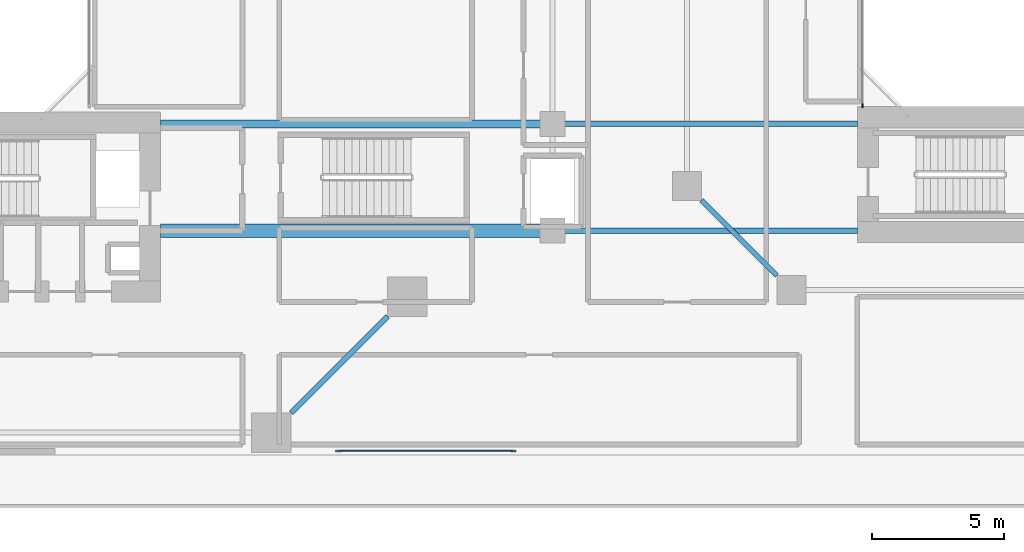
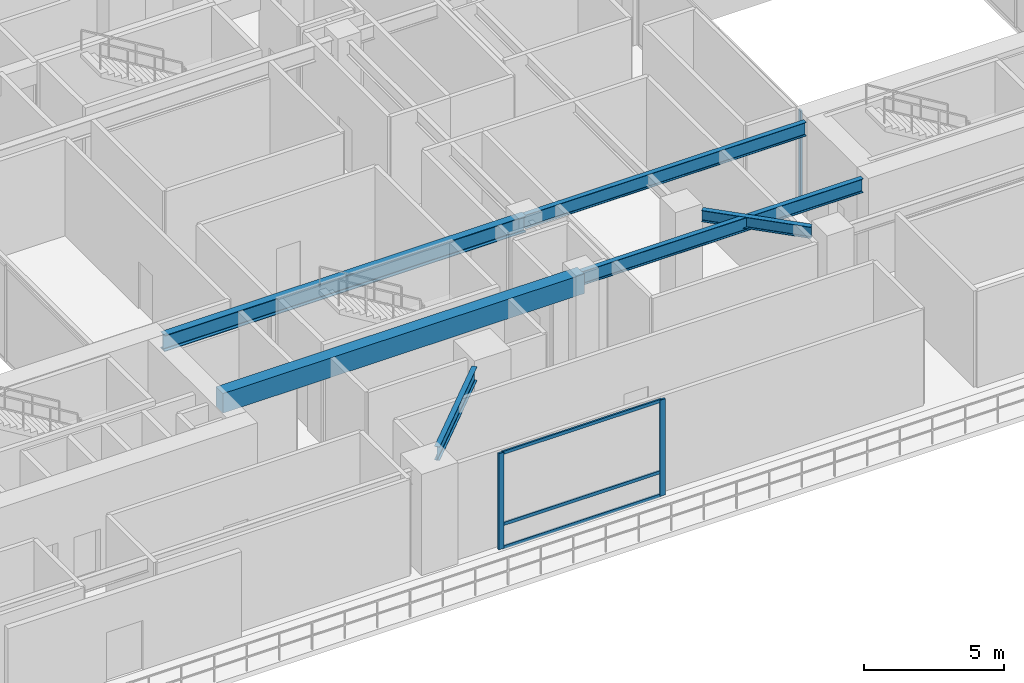
# One storey, part 4 of 19: 6 beams, 6 members, 2 elements without a shape of their own.
"""IFC4 building model written with IfcOpenShell, lengths in metres."""

from ifc_helpers import new_model, si_unit, direction, frame, origin, origin_2d, place, context, subcontext, project, spatial, rectangle, i_section, extrude, source, transform, mapped, material, layer, layer_set, material_profile, profile_set, type_object, element, aggregate, save


model = new_model("IFC4")

# Units and contexts
model_context = context("Model", 3, precision=1e-05, world=origin(), true_north=direction((0.0, 1.0)))
body_context = subcontext(model_context, "Body", "Model", "MODEL_VIEW")
ifc_project = project(units=[si_unit("LENGTHUNIT", "METRE"), si_unit("AREAUNIT", "SQUARE_METRE"), si_unit("VOLUMEUNIT", "CUBIC_METRE"), si_unit("PLANEANGLEUNIT", "RADIAN"), si_unit("MASSUNIT", "GRAM", prefix="KILO"), si_unit("THERMODYNAMICTEMPERATUREUNIT", "KELVIN"), si_unit("POWERUNIT", "WATT")], contexts=[model_context])

# Site, building, storey
site_placement = place(None, origin())
site = spatial("IfcSite", under=ifc_project, at=site_placement, CompositionType="ELEMENT")
building_placement = place(site_placement, origin())
building = spatial("IfcBuilding", under=site, at=building_placement, Name="Qiaomeng Ring Towers", CompositionType="ELEMENT")
storey_placement = place(building_placement, frame((0.0, 0.0, 9.39990234375)))
storey = spatial("IfcBuildingStorey", under=building, at=storey_placement, Name="L02", CompositionType="ELEMENT", Elevation=9.39990234375)

# Beams
ifc_material_1 = material(Name="Steel Q355B", Category="steel")
ifc_material_profile_1 = material_profile(ifc_material_1, i_section(OverallWidth=0.199951171875, OverallDepth=0.60009765625, WebThickness=0.010986328125, FlangeThickness=0.01708984375, FilletRadius=0.02197265625, at=origin_2d()), Name="HN 600x200x11x17")
ifc_profile_set_1 = profile_set([ifc_material_profile_1], Name="Steel Q355B")
beam_type_1 = type_object("IfcBeamType", Name="STR-BM-HN600", PredefinedType="BEAM", material=ifc_profile_set_1)
shared_shape_1 = source(origin(), body_context, "Body", "SweptSolid", [
    extrude(i_section(OverallWidth=0.199951171875, OverallDepth=0.60009765625, WebThickness=0.010986328125, FlangeThickness=0.01708984375, FilletRadius=0.02197265625, at=origin_2d()), origin(), (0.0, 0.0, 1.0), 5.163818359375),
])
beam_1_placement = place(storey_placement, frame((32.749267578125, 5.599365234375, 3.880126953125), z_axis=(0.707106781187, 0.707106781187, 0.0), x_axis=(-0.707106781187, 0.707106781187, 0.0)))
element("IfcBeam", 1, at=beam_1_placement, inside=storey, type_object=beam_type_1, Name="L02 beam STR-SP-L02-T1-2", PredefinedType="BEAM", context=body_context, shape_type="MappedRepresentation", body=[
    mapped(shared_shape_1, transform((0.0, 0.0, 0.0), x_axis=(1.0, 0.0, 0.0), y_axis=(0.0, 1.0, 0.0), z_axis=(0.0, 0.0, 1.0), scale=1.0)),
])
ifc_material_profile_2 = material_profile(ifc_material_1, i_section(OverallWidth=0.199951171875, OverallDepth=0.5, WebThickness=0.010009765625, FlangeThickness=0.01611328125, FilletRadius=0.02001953125, at=origin_2d()), Name="HN 500x200x10x16")
ifc_profile_set_2 = profile_set([ifc_material_profile_2], Name="Steel Q355B")
beam_type_2 = type_object("IfcBeamType", Name="STR-BM-HN500", PredefinedType="BEAM", material=ifc_profile_set_2)
shared_shape_2 = source(origin(), body_context, "Body", "SweptSolid", [
    extrude(i_section(OverallWidth=0.199951171875, OverallDepth=0.5, WebThickness=0.010009765625, FlangeThickness=0.01611328125, FilletRadius=0.02001953125, at=origin_2d()), origin(), (0.0, 0.0, 1.0), 4.032470703125),
])
beam_2_placement = place(storey_placement, frame((48.29931640625, 13.650634765625, 3.93017578125), z_axis=(0.707106781187, -0.707106781187, 0.0), x_axis=(0.707106781187, 0.707106781187, 0.0)))
element("IfcBeam", 2, at=beam_2_placement, inside=storey, type_object=beam_type_2, Name="L02 beam STR-SP-L02-T2-0", PredefinedType="BEAM", context=body_context, shape_type="MappedRepresentation", body=[
    mapped(shared_shape_2, transform((0.0, 0.0, 0.0), x_axis=(1.0, 0.0, 0.0), y_axis=(0.0, 1.0, 0.0), z_axis=(0.0, 0.0, 1.0), scale=1.0)),
])
shared_shape_3 = source(origin(), body_context, "Body", "SweptSolid", [
    extrude(i_section(OverallWidth=0.199951171875, OverallDepth=0.60009765625, WebThickness=0.010986328125, FlangeThickness=0.01708984375, FilletRadius=0.02197265625, at=origin_2d()), origin(), (0.0, 0.0, 1.0), 11.550048828125),
])
for number, where, z_axis, x_axis, name in (
    (3, (42.64990234375, 12.5, 3.880126953125), (1.0, 0.0, 0.0), (0.0, 1.0, 0.0), "L02 beam STR-BM-L02-M2-0"),
    (4, (42.64990234375, 16.550048828125, 3.880126953125), (1.0, 0.0, 0.0), (0.0, 1.0, 0.0), "L02 beam STR-BM-L02-M2-1"),
):
    element("IfcBeam", number, at=place(storey_placement, frame(where, z_axis=z_axis, x_axis=x_axis)), inside=storey, type_object=beam_type_1, Name=name, PredefinedType="BEAM", context=body_context, shape_type="MappedRepresentation", body=[
        mapped(shared_shape_3, transform((0.0, 0.0, 0.0), x_axis=(1.0, 0.0, 0.0), y_axis=(0.0, 1.0, 0.0), z_axis=(0.0, 0.0, 1.0), scale=1.0)),
    ])
ifc_material_profile_3 = material_profile(ifc_material_1, i_section(OverallWidth=0.300048828125, OverallDepth=0.699951171875, WebThickness=0.012939453125, FlangeThickness=0.02392578125, FilletRadius=0.02392578125, at=origin_2d()), Name="HN 700x300x13x24")
ifc_profile_set_3 = profile_set([ifc_material_profile_3], Name="Steel Q355B")
beam_type_3 = type_object("IfcBeamType", Name="STR-BM-HN700", PredefinedType="BEAM", material=ifc_profile_set_3)
shared_shape_4 = source(origin(), body_context, "Body", "SweptSolid", [
    extrude(i_section(OverallWidth=0.300048828125, OverallDepth=0.699951171875, WebThickness=0.012939453125, FlangeThickness=0.02392578125, FilletRadius=0.02392578125, at=origin_2d()), origin(), (0.0, 0.0, 1.0), 14.849853515625),
])
beam_3_placement = place(storey_placement, frame((27.800048828125, 16.550048828125, 3.830078125), z_axis=(1.0, 0.0, 0.0), x_axis=(0.0, 1.0, 0.0)))
element("IfcBeam", 5, at=beam_3_placement, inside=storey, type_object=beam_type_3, Name="L02 beam STR-BM-L02-M1-1", PredefinedType="BEAM", context=body_context, shape_type="MappedRepresentation", body=[
    mapped(shared_shape_4, transform((0.0, 0.0, 0.0), x_axis=(1.0, 0.0, 0.0), y_axis=(0.0, 1.0, 0.0), z_axis=(0.0, 0.0, 1.0), scale=1.0)),
])
ifc_material_2 = material(Name="Concrete C50", Category="concrete")
ifc_material_profile_4 = material_profile(ifc_material_2, rectangle(XDim=0.5, YDim=0.85009765625, at=origin_2d()), Name="RC BM 500x850")
ifc_profile_set_4 = profile_set([ifc_material_profile_4], Name="Concrete C50")
beam_type_4 = type_object("IfcBeamType", Name="STR-BM-RC850", PredefinedType="LINTEL", material=ifc_profile_set_4)
shared_shape_5 = source(origin(), body_context, "Body", "SweptSolid", [
    extrude(rectangle(XDim=0.5, YDim=0.85009765625, at=origin_2d()), origin(), (0.0, 0.0, 1.0), 14.849853515625),
])
beam_4_placement = place(storey_placement, frame((27.800048828125, 12.5, 3.755126953125), z_axis=(1.0, 0.0, 0.0), x_axis=(0.0, 1.0, 0.0)))
element("IfcBeam", 6, at=beam_4_placement, inside=storey, type_object=beam_type_4, Name="L02 beam STR-CB-L02-T1S", PredefinedType="LINTEL", context=body_context, shape_type="MappedRepresentation", body=[
    mapped(shared_shape_5, transform((0.0, 0.0, 0.0), x_axis=(1.0, 0.0, 0.0), y_axis=(0.0, 1.0, 0.0), z_axis=(0.0, 0.0, 1.0), scale=1.0)),
])

# Curtain wall, members
ifc_material_3 = material(Name="Fluorocarbon dark-grey aluminium", Category="aluminium")
ifc_layer_1 = layer(ifc_material_3, 0.179931640625, Name="Fluorocarbon dark-grey aluminium")
ifc_layer_set_1 = layer_set([ifc_layer_1], Name="Fluorocarbon dark-grey aluminium")
curtain_wall_type_1 = type_object("IfcCurtainWallType", Name="ARC-CW-1", PredefinedType="NOTDEFINED", material=ifc_layer_set_1)
curtain_wall_1_placement = place(storey_placement, origin())
curtain_wall_1 = element("IfcCurtainWall", 7, at=curtain_wall_1_placement, inside=storey, type_object=curtain_wall_type_1, Name="L02 Curtain Wall CW1", PredefinedType="NOTDEFINED")
ifc_material_profile_5 = material_profile(ifc_material_3, rectangle(XDim=0.070068359375, YDim=0.139892578125, at=origin_2d()), Name="ALU TRAN 70x140")
ifc_profile_set_5 = profile_set([ifc_material_profile_5], Name="Fluorocarbon dark-grey aluminium")
member_type_1 = type_object("IfcMemberType", Name="ARC-CWT-140", PredefinedType="USERDEFINED", material=ifc_profile_set_5)
shared_shape_6 = source(origin(), body_context, "Body", "SweptSolid", [
    extrude(rectangle(XDim=0.070068359375, YDim=0.139892578125, at=origin_2d()), origin(), (0.0, 0.0, 1.0), 6.5400390625),
])
member_1_placement = place(storey_placement, frame((34.580078125, 4.14990234375, 0.03515625), z_axis=(1.0, 0.0, 0.0), x_axis=(0.0, 1.0, 0.0)))
member_1 = element("IfcMember", 8, at=member_1_placement, type_object=member_type_1, Name="CW1 transom 1.1", ObjectType="TRANSOM", PredefinedType="USERDEFINED", context=body_context, shape_type="MappedRepresentation", body=[
    mapped(shared_shape_6, transform((0.0, 0.0, 0.0), x_axis=(1.0, 0.0, 0.0), y_axis=(0.0, 1.0, 0.0), z_axis=(0.0, 0.0, 1.0), scale=1.0)),
])
member_2_placement = place(storey_placement, frame((34.580078125, 4.14990234375, 1.050048828125), z_axis=(1.0, 0.0, 0.0), x_axis=(0.0, 1.0, 0.0)))
member_2 = element("IfcMember", 9, at=member_2_placement, type_object=member_type_1, Name="CW1 transom 1.2", ObjectType="TRANSOM", PredefinedType="USERDEFINED", context=body_context, shape_type="MappedRepresentation", body=[
    mapped(shared_shape_6, transform((0.0, 0.0, 0.0), x_axis=(1.0, 0.0, 0.0), y_axis=(0.0, 1.0, 0.0), z_axis=(0.0, 0.0, 1.0), scale=1.0)),
])
member_3_placement = place(storey_placement, frame((34.580078125, 4.14990234375, 4.14501953125), z_axis=(1.0, 0.0, 0.0), x_axis=(0.0, 1.0, 0.0)))
member_3 = element("IfcMember", 10, at=member_3_placement, type_object=member_type_1, Name="CW1 transom 1.3", ObjectType="TRANSOM", PredefinedType="USERDEFINED", context=body_context, shape_type="MappedRepresentation", body=[
    mapped(shared_shape_6, transform((0.0, 0.0, 0.0), x_axis=(1.0, 0.0, 0.0), y_axis=(0.0, 1.0, 0.0), z_axis=(0.0, 0.0, 1.0), scale=1.0)),
])
ifc_material_profile_6 = material_profile(ifc_material_3, rectangle(XDim=0.080078125, YDim=0.219970703125, at=origin_2d()), Name="ALU MULL 80x220")
ifc_profile_set_6 = profile_set([ifc_material_profile_6], Name="Fluorocarbon dark-grey aluminium")
member_type_2 = type_object("IfcMemberType", Name="ARC-CWM-180", PredefinedType="MULLION", material=ifc_profile_set_6)
shared_shape_7 = source(origin(), body_context, "Body", "SweptSolid", [
    extrude(rectangle(XDim=0.080078125, YDim=0.219970703125, at=origin_2d()), origin(), (0.0, 0.0, 1.0), 4.18017578125),
])
member_4_placement = place(storey_placement, frame((34.5400390625, 4.14990234375, 0.0), z_axis=(0.0, 0.0, 1.0), x_axis=(0.0, 1.0, 0.0)))
member_4 = element("IfcMember", 11, at=member_4_placement, type_object=member_type_2, Name="CW1 mullion 1", PredefinedType="MULLION", context=body_context, shape_type="MappedRepresentation", body=[
    mapped(shared_shape_7, transform((0.0, 0.0, 0.0), x_axis=(1.0, 0.0, 0.0), y_axis=(0.0, 1.0, 0.0), z_axis=(0.0, 0.0, 1.0), scale=1.0)),
])
member_5_placement = place(storey_placement, frame((41.159912109375, 4.14990234375, 0.0), z_axis=(0.0, 0.0, 1.0), x_axis=(0.0, 1.0, 0.0)))
member_5 = element("IfcMember", 12, at=member_5_placement, type_object=member_type_2, Name="CW1 mullion 2", PredefinedType="MULLION", context=body_context, shape_type="MappedRepresentation", body=[
    mapped(shared_shape_7, transform((0.0, 0.0, 0.0), x_axis=(1.0, 0.0, 0.0), y_axis=(0.0, 1.0, 0.0), z_axis=(0.0, 0.0, 1.0), scale=1.0)),
])
aggregate(curtain_wall_1, [member_4, member_5, member_1, member_2, member_3])

# Curtain wall, member
ifc_layer_2 = layer(ifc_material_3, 0.139892578125, Name="Fluorocarbon dark-grey aluminium")
ifc_layer_set_2 = layer_set([ifc_layer_2], Name="Fluorocarbon dark-grey aluminium")
curtain_wall_type_2 = type_object("IfcCurtainWallType", Name="ARC-CW-4", PredefinedType="NOTDEFINED", material=ifc_layer_set_2)
curtain_wall_2_placement = place(storey_placement, origin())
curtain_wall_2 = element("IfcCurtainWall", 13, at=curtain_wall_2_placement, inside=storey, type_object=curtain_wall_type_2, Name="L02 Curtain Wall CW4", PredefinedType="NOTDEFINED")
ifc_material_profile_7 = material_profile(ifc_material_3, rectangle(XDim=0.06494140625, YDim=0.159912109375, at=origin_2d()), Name="ALU MULL 65x160")
ifc_profile_set_7 = profile_set([ifc_material_profile_7], Name="Fluorocarbon dark-grey aluminium")
member_type_3 = type_object("IfcMemberType", Name="ARC-CWM-140", PredefinedType="MULLION", material=ifc_profile_set_7)
shared_shape_8 = source(origin(), body_context, "Body", "SweptSolid", [
    extrude(rectangle(XDim=0.06494140625, YDim=0.159912109375, at=origin_2d()), origin(), (0.0, 0.0, 1.0), 4.18017578125),
])
member_6_placement = place(storey_placement, frame((54.39990234375, 17.232421875, 0.0), z_axis=(0.0, 0.0, 1.0), x_axis=(-1.0, 0.0, 0.0)))
member_6 = element("IfcMember", 14, at=member_6_placement, type_object=member_type_3, Name="CW4 mullion 1", PredefinedType="MULLION", context=body_context, shape_type="MappedRepresentation", body=[
    mapped(shared_shape_8, transform((0.0, 0.0, 0.0), x_axis=(1.0, 0.0, 0.0), y_axis=(0.0, 1.0, 0.0), z_axis=(0.0, 0.0, 1.0), scale=1.0)),
])
aggregate(curtain_wall_2, [member_6])

save(model, "model.ifc")
